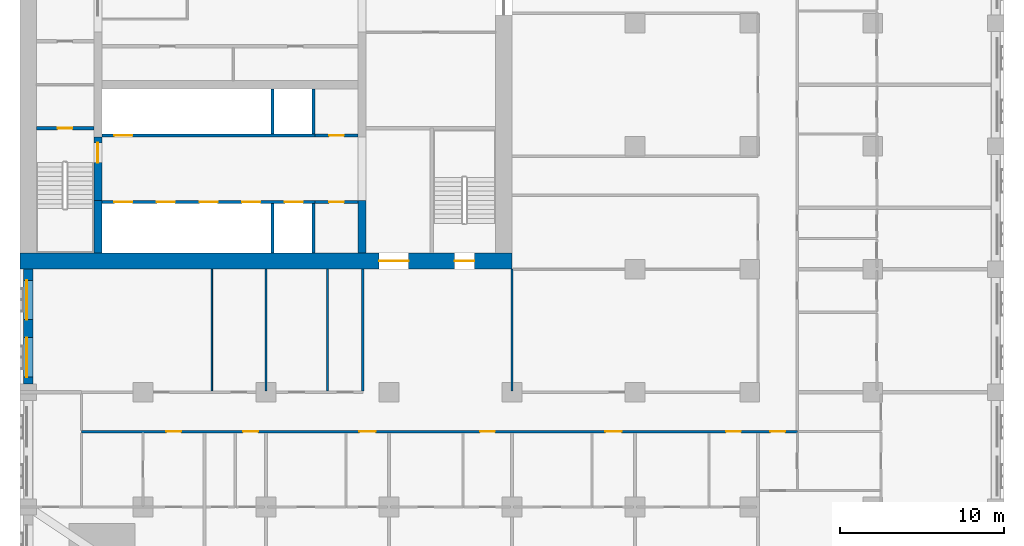
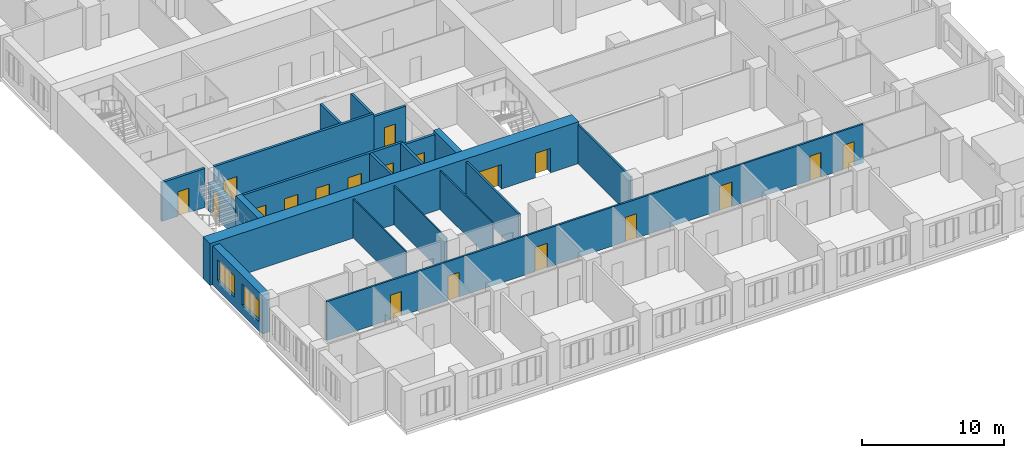
# One storey, part 5 of 14: 20 walls, 19 doors, 2 windows, 21 openings.
"""IFC4 building model written with IfcOpenShell, lengths in metres."""

import ifcopenshell
import ifcopenshell.guid

model = None  # the IFC model being written
_history = None  # IfcOwnerHistory: only IFC2X3 demands one
_inside = {}  # id of a spatial element -> (the spatial element, [elements in it])
_under = {}  # id of a project, library or spatial element -> (it, [spatial elements below it])
_declared = {}  # id of a project -> (the project, [libraries it declares])
_typed = {}  # id of a type object -> (the type object, [elements of that type])
_made_of = {}  # id of a material, layer set ... -> (it, [elements and type objects made of it])


def new_model(schema):
    """Start an empty IFC model of exactly this schema.

    Asked for "IFC4X3", IfcOpenShell would pick the latest addendum, in which some entities
    have other attributes; the version numbers below select the first issue.
    IFC2X3 requires an IfcOwnerHistory on every rooted entity: one is made here for all.
    """
    global model, _history
    if schema == "IFC4X3":
        model = ifcopenshell.file(schema_version=(4, 3, 0, 0))
    else:
        model = ifcopenshell.file(schema=schema)
    _inside.clear()
    _under.clear()
    _declared.clear()
    _typed.clear()
    _made_of.clear()
    _history = None
    if model.schema == "IFC2X3":
        org = make("IfcOrganization", Name="unknown")
        user = make(
            "IfcPersonAndOrganization",
            ThePerson=make("IfcPerson", FamilyName="unknown"),
            TheOrganization=org,
        )
        app = make(
            "IfcApplication",
            ApplicationDeveloper=org,
            Version="unknown",
            ApplicationFullName="unknown",
            ApplicationIdentifier="unknown",
        )
        _history = make(
            "IfcOwnerHistory",
            OwningUser=user,
            OwningApplication=app,
            ChangeAction="ADDED",
            CreationDate=0,
        )
    return model


def make(cls, **values):
    """One entity of the class cls with the attributes given. An attribute that is None is left unset."""
    return model.create_entity(
        cls, **{name: value for name, value in values.items() if value is not None}
    )


def rooted(cls, **values):
    """An entity with a GlobalId (a new one), such as an element, a storey or a relation."""
    return make(cls, GlobalId=ifcopenshell.guid.new(), OwnerHistory=_history, **values)


def si_unit(unit_type, name, prefix=None):
    """IfcSIUnit, for example si_unit("LENGTHUNIT", "METRE", prefix="MILLI")."""
    return make("IfcSIUnit", UnitType=unit_type, Prefix=prefix, Name=name)


def assignment(units):
    """IfcUnitAssignment: the units of a project."""
    return None if units is None else make("IfcUnitAssignment", Units=units)


def point(xyz):
    """IfcCartesianPoint."""
    return None if xyz is None else make("IfcCartesianPoint", Coordinates=xyz)


def direction(xyz):
    """IfcDirection."""
    return None if xyz is None else make("IfcDirection", DirectionRatios=xyz)


def frame(location, z_axis=None, x_axis=None):
    """IfcAxis2Placement3D, a coordinate frame: its origin and axes. An axis left out is left unset."""
    return make(
        "IfcAxis2Placement3D",
        Location=point(location),
        Axis=direction(z_axis),
        RefDirection=direction(x_axis),
    )


def frame_2d(location, x_axis=None):
    """IfcAxis2Placement2D, a coordinate frame in the plane: its origin and x axis."""
    return make(
        "IfcAxis2Placement2D", Location=point(location), RefDirection=direction(x_axis)
    )


def origin():
    """The frame at (0, 0, 0) with its axes left unset."""
    return frame((0.0, 0.0, 0.0))


def place(relative_to, where):
    """IfcLocalPlacement: puts the frame where relative to a parent placement (None: the world)."""
    return make(
        "IfcLocalPlacement", PlacementRelTo=relative_to, RelativePlacement=where
    )


def context(
    kind, dimensions, precision=None, world=None, true_north=None, identifier=None
):
    """IfcGeometricRepresentationContext, for example the 3D "Model" context."""
    return make(
        "IfcGeometricRepresentationContext",
        ContextIdentifier=identifier,
        ContextType=kind,
        CoordinateSpaceDimension=dimensions,
        Precision=precision,
        WorldCoordinateSystem=world,
        TrueNorth=true_north,
    )


def subcontext(parent, identifier, kind, view, scale=None):
    """IfcGeometricRepresentationSubContext, for example "Body" below "Model"."""
    return make(
        "IfcGeometricRepresentationSubContext",
        ContextIdentifier=identifier,
        ContextType=kind,
        ParentContext=parent,
        TargetScale=scale,
        TargetView=view,
    )


def project(units=None, contexts=None):
    """IfcProject with its units and contexts."""
    return rooted(
        "IfcProject",
        Name="project",
        RepresentationContexts=contexts,
        UnitsInContext=assignment(units),
    )


def spatial(cls, under=None, at=None, **own):
    """A site, building, storey or space (cls), placed at a placement, below another one or the project."""
    s = rooted(cls, ObjectPlacement=at, **own)
    if under is not None:
        _under.setdefault(under.id(), (under, []))[1].append(s)
    return s


def profile(cls, at=None, kind="AREA", **sizes):
    """A parametric profile (cls). Its sizes go by their IFC names, for example OverallWidth=200.0."""
    return make(cls, ProfileType=kind, Position=at, **sizes)


def rectangle(**sizes):
    """IfcRectangleProfileDef."""
    return profile("IfcRectangleProfileDef", **sizes)


def extrude(swept, where, along, depth):
    """IfcExtrudedAreaSolid: the profile swept, set in the frame where, extruded along a direction by depth."""
    return make(
        "IfcExtrudedAreaSolid",
        SweptArea=swept,
        Position=where,
        ExtrudedDirection=direction(along),
        Depth=depth,
    )


def shape(context_of_items, identifier, shape_type, items):
    """IfcShapeRepresentation: the items that make up one representation, for example the "Body"."""
    return make(
        "IfcShapeRepresentation",
        ContextOfItems=context_of_items,
        RepresentationIdentifier=identifier,
        RepresentationType=shape_type,
        Items=items,
    )


def material(Name=None, Category=None):
    """IfcMaterial."""
    return make("IfcMaterial", Name=Name, Category=Category)


def layer(
    of_material, thickness, ventilated=None, Name=None, Category=None, Priority=None
):
    """IfcMaterialLayer: one layer of a wall or slab, of a material (None: an air gap)."""
    return make(
        "IfcMaterialLayer",
        Material=of_material,
        LayerThickness=thickness,
        IsVentilated=ventilated,
        Name=Name,
        Category=Category,
        Priority=Priority,
    )


def layer_set(layers, Name=None):
    """IfcMaterialLayerSet."""
    return make("IfcMaterialLayerSet", MaterialLayers=layers, LayerSetName=Name)


def made_of(thing, what):
    """Note that an element or type object is made of a material, layer set ...; save() writes the relation."""
    if what is not None:
        _made_of.setdefault(what.id(), (what, []))[1].append(thing)
    return thing


def type_object(cls, material=None, **own):
    """A type object (cls), such as IfcWallType, which elements share."""
    return made_of(rooted(cls, **own), material)


def element(
    cls,
    number,
    at=None,
    inside=None,
    cuts=None,
    type_object=None,
    material=None,
    context=None,
    identifier="Body",
    shape_type=None,
    held_by="IfcProductDefinitionShape",
    body=None,
    shapes=None,
    **own,
):
    """One element of the class cls, such as IfcWall. Its Tag is "e" and its number.

    at: its placement. inside: the storey or other place that contains it. cuts: it is an
    opening in that element (IfcRelVoidsElement). A single representation is given by context,
    identifier, shape_type and body (its items); several are given by shapes. held_by: the class
    of the entity that holds the representations. save() writes the other relations.
    """
    e = rooted(cls, Tag="e%d" % number, ObjectPlacement=at, **own)
    if body is not None:
        shapes = [shape(context, identifier, shape_type, body)]
    if shapes is not None:
        e.Representation = make(held_by, Representations=shapes)
    if inside is not None:
        _inside.setdefault(inside.id(), (inside, []))[1].append(e)
    if cuts is not None:
        rooted(
            "IfcRelVoidsElement", RelatingBuildingElement=cuts, RelatedOpeningElement=e
        )
    if type_object is not None:
        _typed.setdefault(type_object.id(), (type_object, []))[1].append(e)
    return made_of(e, material)


def fill(opening, filler):
    """IfcRelFillsElement: the door or window that sits in an opening."""
    return rooted(
        "IfcRelFillsElement",
        RelatingOpeningElement=opening,
        RelatedBuildingElement=filler,
    )


def aggregate(whole, parts):
    """IfcRelAggregates: a whole, such as a stair, and the parts it consists of."""
    return rooted("IfcRelAggregates", RelatingObject=whole, RelatedObjects=parts)


def save(model, path):
    """Write the relations noted so far, then the file.

    IfcRelAggregates (storeys below a building ...), IfcRelContainedInSpatialStructure (elements
    in a storey), IfcRelDefinesByType, IfcRelAssociatesMaterial and IfcRelDeclares: one each for
    every whole, place, type object, material and project.
    """
    for whole, parts in _under.values():
        aggregate(whole, parts)
    for where, things in _inside.values():
        rooted(
            "IfcRelContainedInSpatialStructure",
            RelatedElements=things,
            RelatingStructure=where,
        )
    for kind, things in _typed.values():
        rooted("IfcRelDefinesByType", RelatedObjects=things, RelatingType=kind)
    for what, things in _made_of.values():
        rooted("IfcRelAssociatesMaterial", RelatedObjects=things, RelatingMaterial=what)
    for by, libraries in _declared.values():
        rooted("IfcRelDeclares", RelatingContext=by, RelatedDefinitions=libraries)
    model.write(path)


model = new_model("IFC4")

# Units and contexts
model_context = context("Model", 3, precision=1e-05, world=origin(), true_north=direction((0.0, 1.0)))
body_context = subcontext(model_context, "Body", "Model", "MODEL_VIEW")
ifc_project = project(units=[si_unit("LENGTHUNIT", "METRE"), si_unit("AREAUNIT", "SQUARE_METRE"), si_unit("VOLUMEUNIT", "CUBIC_METRE"), si_unit("PLANEANGLEUNIT", "RADIAN"), si_unit("MASSUNIT", "GRAM", prefix="KILO")], contexts=[model_context])

# Site, building, storey
site_placement = place(None, origin())
site = spatial("IfcSite", under=ifc_project, at=site_placement, CompositionType="ELEMENT")
building_placement = place(site_placement, origin())
building = spatial("IfcBuilding", under=site, at=building_placement, Name="Tamorin Gate", CompositionType="ELEMENT")
storey_placement = place(building_placement, frame((0.0, 0.0, 44.800048828125)))
storey = spatial("IfcBuildingStorey", under=building, at=storey_placement, Name="L09", CompositionType="ELEMENT", Elevation=44.800048828125)

# Wall, openings, windows
ifc_material_1 = material(Name="Precast concrete C40/50", Category="concrete")
ifc_layer_1 = layer(ifc_material_1, 0.60009765625)
ifc_layer_set_1 = layer_set([ifc_layer_1], Name="Precast concrete C40/50")
wall_type_1 = type_object("IfcWallType", Name="Board-marked concrete facade panel 600", PredefinedType="SOLIDWALL", material=ifc_layer_set_1)
wall_1_placement = place(storey_placement, frame((30.5, 60.0, 0.0), z_axis=(0.0, 0.0, 1.0), x_axis=(0.0, -1.0, 0.0)))
wall_1 = element("IfcWall", 1, at=wall_1_placement, inside=storey, type_object=wall_type_1, Name="Facade panel", PredefinedType="SOLIDWALL", context=body_context, shape_type="SweptSolid", body=[
    extrude(rectangle(XDim=7.0, YDim=0.60009765625, at=frame_2d((3.5, 0.0))), origin(), (0.0, 0.0, 1.0), 3.349853515625),
])
opening_1_placement = place(wall_1_placement, frame((4.175048828125, 0.0, 0.800048828125)))
opening_1 = element("IfcOpeningElement", 2, at=opening_1_placement, cuts=wall_1, Name="Opening WN1", PredefinedType="OPENING", context=body_context, shape_type="SweptSolid", body=[
    extrude(rectangle(XDim=2.39990234375, YDim=1.800048828125, at=frame_2d((1.199951171875, 0.89990234375))), frame((0.0, 0.31005859375, 0.0), z_axis=(0.0, -1.0, 0.0), x_axis=(1.0, 0.0, 0.0)), (0.0, 0.0, 1.0), 0.6201171875),
])
opening_2_placement = place(wall_1_placement, frame((0.675048828125, 0.0, 0.800048828125)))
opening_2 = element("IfcOpeningElement", 3, at=opening_2_placement, cuts=wall_1, Name="Opening WN1", PredefinedType="OPENING", context=body_context, shape_type="SweptSolid", body=[
    extrude(rectangle(XDim=2.39990234375, YDim=1.800048828125, at=frame_2d((1.199951171875, 0.89990234375))), frame((0.0, 0.31005859375, 0.0), z_axis=(0.0, -1.0, 0.0), x_axis=(1.0, 0.0, 0.0)), (0.0, 0.0, 1.0), 0.6201171875),
])
ifc_material_2 = material(Name="Clear glass in aluminium frame", Category="aluminium")
window_type = type_object("IfcWindowType", Name="Deep-set window 2400x1800", PartitioningType="SINGLE_PANEL", PredefinedType="WINDOW", material=ifc_material_2)
window_1_placement = place(opening_1_placement, origin())
window_1 = element("IfcWindow", 4, at=window_1_placement, inside=storey, type_object=window_type, Name="Deep-set window", OverallHeight=1.800048828125, OverallWidth=2.39990234375, PartitioningType="SINGLE_PANEL", PredefinedType="WINDOW", context=body_context, shape_type="SweptSolid", body=[
    extrude(rectangle(XDim=2.39990234375, YDim=1.800048828125, at=frame_2d((1.199951171875, 0.89990234375))), frame((0.0, -0.070068359375, 0.0), z_axis=(0.0, -1.0, 0.0), x_axis=(1.0, 0.0, 0.0)), (0.0, 0.0, 1.0), 0.06005859375),
])
fill(opening_1, window_1)
window_2_placement = place(opening_2_placement, origin())
window_2 = element("IfcWindow", 5, at=window_2_placement, inside=storey, type_object=window_type, Name="Deep-set window", OverallHeight=1.800048828125, OverallWidth=2.39990234375, PartitioningType="SINGLE_PANEL", PredefinedType="WINDOW", context=body_context, shape_type="SweptSolid", body=[
    extrude(rectangle(XDim=2.39990234375, YDim=1.800048828125, at=frame_2d((1.199951171875, 0.89990234375))), frame((0.0, -0.070068359375, 0.0), z_axis=(0.0, -1.0, 0.0), x_axis=(1.0, 0.0, 0.0)), (0.0, 0.0, 1.0), 0.06005859375),
])
fill(opening_2, window_2)

# Wall, openings, doors
ifc_material_3 = material(Name="Gypsum board partition")
ifc_layer_2 = layer(ifc_material_3, 0.14990234375)
ifc_layer_set_2 = layer_set([ifc_layer_2], Name="Corridor wall 150")
wall_type_2 = type_object("IfcWallType", Name="Corridor wall 150", PredefinedType="PARTITIONING", material=ifc_layer_set_2)
wall_2_placement = place(storey_placement, frame((33.75, 50.10009765625, 0.0), z_axis=(0.0, 0.0, 1.0), x_axis=(1.0, 0.0, 0.0)))
wall_2 = element("IfcWall", 6, at=wall_2_placement, inside=storey, type_object=wall_type_2, Name="Corridor wall 150", PredefinedType="PARTITIONING", context=body_context, shape_type="SweptSolid", body=[
    extrude(rectangle(XDim=43.64990234375, YDim=0.14990234375, at=frame_2d((21.824951171875, 0.0))), origin(), (0.0, 0.0, 1.0), 3.349853515625),
])
opening_3_placement = place(wall_2_placement, frame((5.175048828125, 0.0, 0.0)))
opening_3 = element("IfcOpeningElement", 7, at=opening_3_placement, cuts=wall_2, Name="Opening DH4003", PredefinedType="OPENING", context=body_context, shape_type="SweptSolid", body=[
    extrude(rectangle(XDim=0.89990234375, YDim=2.10009765625, at=frame_2d((0.449951171875, 1.050048828125))), frame((0.0, 0.0849609375, 0.0), z_axis=(0.0, -1.0, 0.0), x_axis=(1.0, 0.0, 0.0)), (0.0, 0.0, 1.0), 0.169921875),
])
opening_4_placement = place(wall_2_placement, frame((9.862548828125, 0.0, 0.0)))
opening_4 = element("IfcOpeningElement", 8, at=opening_4_placement, cuts=wall_2, Name="Opening DH4006", PredefinedType="OPENING", context=body_context, shape_type="SweptSolid", body=[
    extrude(rectangle(XDim=0.89990234375, YDim=2.10009765625, at=frame_2d((0.449951171875, 1.050048828125))), frame((0.0, 0.0849609375, 0.0), z_axis=(0.0, -1.0, 0.0), x_axis=(1.0, 0.0, 0.0)), (0.0, 0.0, 1.0), 0.169921875),
])
opening_5_placement = place(wall_2_placement, frame((16.9375, 0.0, 0.0)))
opening_5 = element("IfcOpeningElement", 9, at=opening_5_placement, cuts=wall_2, Name="Opening DH4009", PredefinedType="OPENING", context=body_context, shape_type="SweptSolid", body=[
    extrude(rectangle(XDim=1.0, YDim=2.10009765625, at=frame_2d((0.5, 1.050048828125))), frame((0.0, 0.0849609375, 0.0), z_axis=(0.0, -1.0, 0.0), x_axis=(1.0, 0.0, 0.0)), (0.0, 0.0, 1.0), 0.169921875),
])
opening_6_placement = place(wall_2_placement, frame((24.300048828125, 0.0, 0.0)))
opening_6 = element("IfcOpeningElement", 10, at=opening_6_placement, cuts=wall_2, Name="Opening DH4012", PredefinedType="OPENING", context=body_context, shape_type="SweptSolid", body=[
    extrude(rectangle(XDim=0.89990234375, YDim=2.10009765625, at=frame_2d((0.449951171875, 1.050048828125))), frame((0.0, 0.0849609375, 0.0), z_axis=(0.0, -1.0, 0.0), x_axis=(1.0, 0.0, 0.0)), (0.0, 0.0, 1.0), 0.169921875),
])
opening_7_placement = place(wall_2_placement, frame((31.9375, 0.0, 0.0)))
opening_7 = element("IfcOpeningElement", 11, at=opening_7_placement, cuts=wall_2, Name="Opening DH4015", PredefinedType="OPENING", context=body_context, shape_type="SweptSolid", body=[
    extrude(rectangle(XDim=1.0, YDim=2.10009765625, at=frame_2d((0.5, 1.050048828125))), frame((0.0, 0.0849609375, 0.0), z_axis=(0.0, -1.0, 0.0), x_axis=(1.0, 0.0, 0.0)), (0.0, 0.0, 1.0), 0.169921875),
])
opening_8_placement = place(wall_2_placement, frame((39.300048828125, 0.0, 0.0)))
opening_8 = element("IfcOpeningElement", 12, at=opening_8_placement, cuts=wall_2, Name="Opening DH4018", PredefinedType="OPENING", context=body_context, shape_type="SweptSolid", body=[
    extrude(rectangle(XDim=0.89990234375, YDim=2.10009765625, at=frame_2d((0.449951171875, 1.050048828125))), frame((0.0, 0.0849609375, 0.0), z_axis=(0.0, -1.0, 0.0), x_axis=(1.0, 0.0, 0.0)), (0.0, 0.0, 1.0), 0.169921875),
])
opening_9_placement = place(wall_2_placement, frame((42.0, 0.0, 0.0)))
opening_9 = element("IfcOpeningElement", 13, at=opening_9_placement, cuts=wall_2, Name="Opening DH4060", PredefinedType="OPENING", context=body_context, shape_type="SweptSolid", body=[
    extrude(rectangle(XDim=0.89990234375, YDim=2.10009765625, at=frame_2d((0.449951171875, 1.050048828125))), frame((0.0, 0.0849609375, 0.0), z_axis=(0.0, -1.0, 0.0), x_axis=(1.0, 0.0, 0.0)), (0.0, 0.0, 1.0), 0.169921875),
])
ifc_material_4 = material(Name="Timber door leaf", Category="wood")
door_type_1 = type_object("IfcDoorType", Name="Door 1000 x 2100 FD30S", OperationType="NOTDEFINED", PredefinedType="DOOR", material=ifc_material_4)
door_1_placement = place(opening_5_placement, origin())
door_1 = element("IfcDoor", 14, at=door_1_placement, inside=storey, type_object=door_type_1, Name="Door DH4009", OperationType="SINGLE_SWING_RIGHT", OverallHeight=2.10009765625, OverallWidth=1.0, PredefinedType="DOOR", context=body_context, shape_type="SweptSolid", body=[
    extrude(rectangle(XDim=1.0, YDim=2.10009765625, at=frame_2d((0.5, 1.050048828125))), frame((0.0, 0.02490234375, 0.0), z_axis=(0.0, -1.0, 0.0), x_axis=(1.0, 0.0, 0.0)), (0.0, 0.0, 1.0), 0.050048828125),
])
fill(opening_5, door_1)
door_2_placement = place(opening_7_placement, origin())
door_2 = element("IfcDoor", 15, at=door_2_placement, inside=storey, type_object=door_type_1, Name="Door DH4015", OperationType="SINGLE_SWING_RIGHT", OverallHeight=2.10009765625, OverallWidth=1.0, PredefinedType="DOOR", context=body_context, shape_type="SweptSolid", body=[
    extrude(rectangle(XDim=1.0, YDim=2.10009765625, at=frame_2d((0.5, 1.050048828125))), frame((0.0, 0.02490234375, 0.0), z_axis=(0.0, -1.0, 0.0), x_axis=(1.0, 0.0, 0.0)), (0.0, 0.0, 1.0), 0.050048828125),
])
fill(opening_7, door_2)
door_type_2 = type_object("IfcDoorType", Name="Door 900 x 2100 FD30S", OperationType="NOTDEFINED", PredefinedType="DOOR", material=ifc_material_4)
door_3_placement = place(opening_3_placement, origin())
door_3 = element("IfcDoor", 16, at=door_3_placement, inside=storey, type_object=door_type_2, Name="Door DH4003", OperationType="SINGLE_SWING_RIGHT", OverallHeight=2.10009765625, OverallWidth=0.89990234375, PredefinedType="DOOR", context=body_context, shape_type="SweptSolid", body=[
    extrude(rectangle(XDim=0.89990234375, YDim=2.10009765625, at=frame_2d((0.449951171875, 1.050048828125))), frame((0.0, 0.02490234375, 0.0), z_axis=(0.0, -1.0, 0.0), x_axis=(1.0, 0.0, 0.0)), (0.0, 0.0, 1.0), 0.050048828125),
])
fill(opening_3, door_3)
door_4_placement = place(opening_4_placement, origin())
door_4 = element("IfcDoor", 17, at=door_4_placement, inside=storey, type_object=door_type_2, Name="Door DH4006", OperationType="SINGLE_SWING_RIGHT", OverallHeight=2.10009765625, OverallWidth=0.89990234375, PredefinedType="DOOR", context=body_context, shape_type="SweptSolid", body=[
    extrude(rectangle(XDim=0.89990234375, YDim=2.10009765625, at=frame_2d((0.449951171875, 1.050048828125))), frame((0.0, 0.02490234375, 0.0), z_axis=(0.0, -1.0, 0.0), x_axis=(1.0, 0.0, 0.0)), (0.0, 0.0, 1.0), 0.050048828125),
])
fill(opening_4, door_4)
door_5_placement = place(opening_6_placement, origin())
door_5 = element("IfcDoor", 18, at=door_5_placement, inside=storey, type_object=door_type_2, Name="Door DH4012", OperationType="SINGLE_SWING_RIGHT", OverallHeight=2.10009765625, OverallWidth=0.89990234375, PredefinedType="DOOR", context=body_context, shape_type="SweptSolid", body=[
    extrude(rectangle(XDim=0.89990234375, YDim=2.10009765625, at=frame_2d((0.449951171875, 1.050048828125))), frame((0.0, 0.02490234375, 0.0), z_axis=(0.0, -1.0, 0.0), x_axis=(1.0, 0.0, 0.0)), (0.0, 0.0, 1.0), 0.050048828125),
])
fill(opening_6, door_5)
door_6_placement = place(opening_8_placement, origin())
door_6 = element("IfcDoor", 19, at=door_6_placement, inside=storey, type_object=door_type_2, Name="Door DH4018", OperationType="SINGLE_SWING_RIGHT", OverallHeight=2.10009765625, OverallWidth=0.89990234375, PredefinedType="DOOR", context=body_context, shape_type="SweptSolid", body=[
    extrude(rectangle(XDim=0.89990234375, YDim=2.10009765625, at=frame_2d((0.449951171875, 1.050048828125))), frame((0.0, 0.02490234375, 0.0), z_axis=(0.0, -1.0, 0.0), x_axis=(1.0, 0.0, 0.0)), (0.0, 0.0, 1.0), 0.050048828125),
])
fill(opening_8, door_6)
door_7_placement = place(opening_9_placement, origin())
door_7 = element("IfcDoor", 20, at=door_7_placement, inside=storey, type_object=door_type_2, Name="Door DH4060", OperationType="SINGLE_SWING_LEFT", OverallHeight=2.10009765625, OverallWidth=0.89990234375, PredefinedType="DOOR", context=body_context, shape_type="SweptSolid", body=[
    extrude(rectangle(XDim=0.89990234375, YDim=2.10009765625, at=frame_2d((0.449951171875, 1.050048828125))), frame((0.0, 0.02490234375, 0.0), z_axis=(0.0, -1.0, 0.0), x_axis=(1.0, 0.0, 0.0)), (0.0, 0.0, 1.0), 0.050048828125),
])
fill(opening_9, door_7)

ifc_material_5 = material(Name="Concrete C32/40", Category="concrete")
ifc_layer_3 = layer(ifc_material_5, 0.199951171875)
ifc_layer_set_3 = layer_set([ifc_layer_3], Name="Lift lobby face wall 200 EI 120")
wall_type_3 = type_object("IfcWallType", Name="Lift lobby face wall 200 EI 120", PredefinedType="SOLIDWALL", material=ifc_layer_set_3)
wall_3_placement = place(storey_placement, frame((35.0, 64.10009765625, 0.0), z_axis=(0.0, 0.0, 1.0), x_axis=(1.0, 0.0, 0.0)))
wall_3 = element("IfcWall", 21, at=wall_3_placement, inside=storey, type_object=wall_type_3, Name="Lift lobby face wall", PredefinedType="SOLIDWALL", context=body_context, shape_type="SweptSolid", body=[
    extrude(rectangle(XDim=13.0, YDim=0.199951171875, at=frame_2d((6.5, 0.0))), origin(), (0.0, 0.0, 1.0), 3.599853515625),
])
opening_10_placement = place(wall_3_placement, frame((0.75, 0.0, 0.0)))
opening_10 = element("IfcOpeningElement", 22, at=opening_10_placement, cuts=wall_3, Name="Opening LD1", PredefinedType="OPENING", context=body_context, shape_type="SweptSolid", body=[
    extrude(rectangle(XDim=1.10009765625, YDim=2.10009765625, at=frame_2d((0.550048828125, 1.050048828125))), frame((0.0, 0.10986328125, 0.0), z_axis=(0.0, -1.0, 0.0), x_axis=(1.0, 0.0, 0.0)), (0.0, 0.0, 1.0), 0.219970703125),
])
opening_11_placement = place(wall_3_placement, frame((3.35009765625, 0.0, 0.0)))
opening_11 = element("IfcOpeningElement", 23, at=opening_11_placement, cuts=wall_3, Name="Opening LD2", PredefinedType="OPENING", context=body_context, shape_type="SweptSolid", body=[
    extrude(rectangle(XDim=1.10009765625, YDim=2.10009765625, at=frame_2d((0.550048828125, 1.050048828125))), frame((0.0, 0.10986328125, 0.0), z_axis=(0.0, -1.0, 0.0), x_axis=(1.0, 0.0, 0.0)), (0.0, 0.0, 1.0), 0.219970703125),
])
opening_12_placement = place(wall_3_placement, frame((5.949951171875, 0.0, 0.0)))
opening_12 = element("IfcOpeningElement", 24, at=opening_12_placement, cuts=wall_3, Name="Opening LD3", PredefinedType="OPENING", context=body_context, shape_type="SweptSolid", body=[
    extrude(rectangle(XDim=1.10009765625, YDim=2.10009765625, at=frame_2d((0.550048828125, 1.050048828125))), frame((0.0, 0.10986328125, 0.0), z_axis=(0.0, -1.0, 0.0), x_axis=(1.0, 0.0, 0.0)), (0.0, 0.0, 1.0), 0.219970703125),
])
opening_13_placement = place(wall_3_placement, frame((8.550048828125, 0.0, 0.0)))
opening_13 = element("IfcOpeningElement", 25, at=opening_13_placement, cuts=wall_3, Name="Opening LD4", PredefinedType="OPENING", context=body_context, shape_type="SweptSolid", body=[
    extrude(rectangle(XDim=1.10009765625, YDim=2.10009765625, at=frame_2d((0.550048828125, 1.050048828125))), frame((0.0, 0.10986328125, 0.0), z_axis=(0.0, -1.0, 0.0), x_axis=(1.0, 0.0, 0.0)), (0.0, 0.0, 1.0), 0.219970703125),
])
opening_14_placement = place(wall_3_placement, frame((11.14990234375, 0.0, 0.0)))
opening_14 = element("IfcOpeningElement", 26, at=opening_14_placement, cuts=wall_3, Name="Opening LD5", PredefinedType="OPENING", context=body_context, shape_type="SweptSolid", body=[
    extrude(rectangle(XDim=1.10009765625, YDim=2.10009765625, at=frame_2d((0.550048828125, 1.050048828125))), frame((0.0, 0.10986328125, 0.0), z_axis=(0.0, -1.0, 0.0), x_axis=(1.0, 0.0, 0.0)), (0.0, 0.0, 1.0), 0.219970703125),
])
ifc_material_6 = material(Name="Stainless steel sliding door", Category="steel")
door_type_3 = type_object("IfcDoorType", Name="Lift landing door 1100 x 2100 E 90", OperationType="DOUBLE_DOOR_SLIDING", PredefinedType="DOOR", material=ifc_material_6)
door_8_placement = place(opening_10_placement, origin())
door_8 = element("IfcDoor", 27, at=door_8_placement, inside=storey, type_object=door_type_3, Name="LR1 landing door", OperationType="DOUBLE_DOOR_SLIDING", OverallHeight=2.10009765625, OverallWidth=1.10009765625, PredefinedType="DOOR", context=body_context, shape_type="SweptSolid", body=[
    extrude(rectangle(XDim=1.10009765625, YDim=2.10009765625, at=frame_2d((0.550048828125, 1.050048828125))), frame((0.0, 0.02490234375, 0.0), z_axis=(0.0, -1.0, 0.0), x_axis=(1.0, 0.0, 0.0)), (0.0, 0.0, 1.0), 0.050048828125),
])
fill(opening_10, door_8)
door_9_placement = place(opening_11_placement, origin())
door_9 = element("IfcDoor", 28, at=door_9_placement, inside=storey, type_object=door_type_3, Name="LR2 landing door", OperationType="DOUBLE_DOOR_SLIDING", OverallHeight=2.10009765625, OverallWidth=1.10009765625, PredefinedType="DOOR", context=body_context, shape_type="SweptSolid", body=[
    extrude(rectangle(XDim=1.10009765625, YDim=2.10009765625, at=frame_2d((0.550048828125, 1.050048828125))), frame((0.0, 0.02490234375, 0.0), z_axis=(0.0, -1.0, 0.0), x_axis=(1.0, 0.0, 0.0)), (0.0, 0.0, 1.0), 0.050048828125),
])
fill(opening_11, door_9)
door_10_placement = place(opening_12_placement, origin())
door_10 = element("IfcDoor", 29, at=door_10_placement, inside=storey, type_object=door_type_3, Name="LR3 landing door", OperationType="DOUBLE_DOOR_SLIDING", OverallHeight=2.10009765625, OverallWidth=1.10009765625, PredefinedType="DOOR", context=body_context, shape_type="SweptSolid", body=[
    extrude(rectangle(XDim=1.10009765625, YDim=2.10009765625, at=frame_2d((0.550048828125, 1.050048828125))), frame((0.0, 0.02490234375, 0.0), z_axis=(0.0, -1.0, 0.0), x_axis=(1.0, 0.0, 0.0)), (0.0, 0.0, 1.0), 0.050048828125),
])
fill(opening_12, door_10)
door_11_placement = place(opening_13_placement, origin())
door_11 = element("IfcDoor", 30, at=door_11_placement, inside=storey, type_object=door_type_3, Name="LR4 landing door", OperationType="DOUBLE_DOOR_SLIDING", OverallHeight=2.10009765625, OverallWidth=1.10009765625, PredefinedType="DOOR", context=body_context, shape_type="SweptSolid", body=[
    extrude(rectangle(XDim=1.10009765625, YDim=2.10009765625, at=frame_2d((0.550048828125, 1.050048828125))), frame((0.0, 0.02490234375, 0.0), z_axis=(0.0, -1.0, 0.0), x_axis=(1.0, 0.0, 0.0)), (0.0, 0.0, 1.0), 0.050048828125),
])
fill(opening_13, door_11)
door_12_placement = place(opening_14_placement, origin())
door_12 = element("IfcDoor", 31, at=door_12_placement, inside=storey, type_object=door_type_3, Name="LR5 landing door", OperationType="DOUBLE_DOOR_SLIDING", OverallHeight=2.10009765625, OverallWidth=1.10009765625, PredefinedType="DOOR", context=body_context, shape_type="SweptSolid", body=[
    extrude(rectangle(XDim=1.10009765625, YDim=2.10009765625, at=frame_2d((0.550048828125, 1.050048828125))), frame((0.0, 0.02490234375, 0.0), z_axis=(0.0, -1.0, 0.0), x_axis=(1.0, 0.0, 0.0)), (0.0, 0.0, 1.0), 0.050048828125),
])
fill(opening_14, door_12)

# Wall, opening, door
wall_4_placement = place(storey_placement, frame((35.0, 68.14990234375, 0.0), z_axis=(0.0, 0.0, 1.0), x_axis=(1.0, 0.0, 0.0)))
wall_4 = element("IfcWall", 32, at=wall_4_placement, inside=storey, type_object=wall_type_3, Name="Lift lobby face wall", PredefinedType="SOLIDWALL", context=body_context, shape_type="SweptSolid", body=[
    extrude(rectangle(XDim=13.0, YDim=0.199951171875, at=frame_2d((6.5, 0.0))), origin(), (0.0, 0.0, 1.0), 3.599853515625),
])
opening_15_placement = place(wall_4_placement, frame((0.75, 0.0, 0.0)))
opening_15 = element("IfcOpeningElement", 33, at=opening_15_placement, cuts=wall_4, Name="Opening LD6", PredefinedType="OPENING", context=body_context, shape_type="SweptSolid", body=[
    extrude(rectangle(XDim=1.10009765625, YDim=2.10009765625, at=frame_2d((0.550048828125, 1.050048828125))), frame((0.0, 0.10986328125, 0.0), z_axis=(0.0, -1.0, 0.0), x_axis=(1.0, 0.0, 0.0)), (0.0, 0.0, 1.0), 0.219970703125),
])
door_13_placement = place(opening_15_placement, origin())
door_13 = element("IfcDoor", 34, at=door_13_placement, inside=storey, type_object=door_type_3, Name="LR6 landing door", OperationType="DOUBLE_DOOR_SLIDING", OverallHeight=2.10009765625, OverallWidth=1.10009765625, PredefinedType="DOOR", context=body_context, shape_type="SweptSolid", body=[
    extrude(rectangle(XDim=1.10009765625, YDim=2.10009765625, at=frame_2d((0.550048828125, 1.050048828125))), frame((0.0, 0.02490234375, 0.0), z_axis=(0.0, -1.0, 0.0), x_axis=(1.0, 0.0, 0.0)), (0.0, 0.0, 1.0), 0.050048828125),
])
fill(opening_15, door_13)

# Walls
ifc_layer_4 = layer(ifc_material_5, 0.199951171875)
ifc_layer_set_4 = layer_set([ifc_layer_4], Name="Lift shaft wall 200 EI 120")
wall_type_4 = type_object("IfcWallType", Name="Lift shaft wall 200 EI 120", PredefinedType="SOLIDWALL", material=ifc_layer_set_4)
for number, where, z_axis, x_axis, name in (
    (35, (45.39990234375, 61.0, 0.0), (0.0, 0.0, 1.0), (0.0, 1.0, 0.0), "Lift shaft wall"),
    (36, (47.89990234375, 61.0, 0.0), (0.0, 0.0, 1.0), (0.0, 1.0, 0.0), "Lift shaft wall"),
):
    element("IfcWall", number, at=place(storey_placement, frame(where, z_axis=z_axis, x_axis=x_axis)), inside=storey, type_object=wall_type_4, Name=name, PredefinedType="SOLIDWALL", context=body_context, shape_type="SweptSolid", body=[
        extrude(rectangle(XDim=3.0, YDim=0.199951171875, at=frame_2d((1.5, 0.0))), origin(), (0.0, 0.0, 1.0), 3.599853515625),
    ])
for number, where, z_axis, x_axis, name in (
    (37, (45.39990234375, 68.25, 0.0), (0.0, 0.0, 1.0), (0.0, 1.0, 0.0), "Lift shaft wall"),
    (38, (47.89990234375, 68.25, 0.0), (0.0, 0.0, 1.0), (0.0, 1.0, 0.0), "Lift shaft wall"),
):
    element("IfcWall", number, at=place(storey_placement, frame(where, z_axis=z_axis, x_axis=x_axis)), inside=storey, type_object=wall_type_4, Name=name, PredefinedType="SOLIDWALL", context=body_context, shape_type="SweptSolid", body=[
        extrude(rectangle(XDim=2.75, YDim=0.199951171875, at=frame_2d((1.375, 0.0))), origin(), (0.0, 0.0, 1.0), 3.599853515625),
    ])
ifc_layer_5 = layer(ifc_material_3, 0.14990234375)
ifc_layer_set_5 = layer_set([ifc_layer_5], Name="Lobby wall 150")
wall_type_5 = type_object("IfcWallType", Name="Lobby wall 150", PredefinedType="PARTITIONING", material=ifc_layer_set_5)
for number, where, z_axis, x_axis, name in (
    (39, (50.89990234375, 52.574951171875, 0.0), (0.0, 0.0, 1.0), (0.0, 1.0, 0.0), "Lobby wall 150"),
    (40, (60.0, 52.574951171875, 0.0), (0.0, 0.0, 1.0), (0.0, 1.0, 0.0), "Lobby wall 150"),
):
    element("IfcWall", number, at=place(storey_placement, frame(where, z_axis=z_axis, x_axis=x_axis)), inside=storey, type_object=wall_type_5, Name=name, PredefinedType="PARTITIONING", context=body_context, shape_type="SweptSolid", body=[
        extrude(rectangle(XDim=7.425048828125, YDim=0.14990234375, at=frame_2d((3.71240234375, 0.0))), origin(), (0.0, 0.0, 1.0), 3.349853515625),
    ])
ifc_material_7 = material(Name="Concrete C80/95", Category="concrete")
ifc_layer_6 = layer(ifc_material_7, 0.5)
ifc_layer_set_6 = layer_set([ifc_layer_6], Name="RC core internal wall 500 C80/95")
wall_type_6 = type_object("IfcWallType", Name="RC core internal wall 500 C80/95", PredefinedType="SHEAR", material=ifc_layer_set_6)
for number, where, z_axis, x_axis, name in (
    (41, (34.75, 61.0, 0.0), (0.0, 0.0, 1.0), (0.0, 1.0, 0.0), "Core cross wall L09"),
    (42, (50.85009765625, 61.0, 0.0), (0.0, 0.0, 1.0), (0.0, 1.0, 0.0), "Core cross wall L09"),
):
    element("IfcWall", number, at=place(storey_placement, frame(where, z_axis=z_axis, x_axis=x_axis)), inside=storey, type_object=wall_type_6, Name=name, PredefinedType="SHEAR", context=body_context, shape_type="SweptSolid", body=[
        extrude(rectangle(XDim=3.199951171875, YDim=0.5, at=frame_2d((1.60009765625, 0.0))), origin(), (0.0, 0.0, 1.0), 3.599853515625),
    ])

# Wall, openings, doors
ifc_layer_7 = layer(ifc_material_7, 1.0)
ifc_layer_set_7 = layer_set([ifc_layer_7], Name="RC core wall 1000 C80/95")
wall_type_7 = type_object("IfcWallType", Name="RC core wall 1000 C80/95", PredefinedType="SHEAR", material=ifc_layer_set_7)
wall_5_placement = place(storey_placement, frame((30.0, 60.5, 0.0), z_axis=(0.0, 0.0, 1.0), x_axis=(1.0, 0.0, 0.0)))
wall_5 = element("IfcWall", 43, at=wall_5_placement, inside=storey, type_object=wall_type_7, Name="Core wall L09", PredefinedType="SHEAR", context=body_context, shape_type="SweptSolid", body=[
    extrude(rectangle(XDim=30.0, YDim=1.0, at=frame_2d((15.0, 0.0))), origin(), (0.0, 0.0, 1.0), 3.599853515625),
])
opening_16_placement = place(wall_5_placement, frame((21.89990234375, 0.0, 0.0)))
opening_16 = element("IfcOpeningElement", 44, at=opening_16_placement, cuts=wall_5, Name="Opening DE1", PredefinedType="OPENING", context=body_context, shape_type="SweptSolid", body=[
    extrude(rectangle(XDim=1.800048828125, YDim=2.10009765625, at=frame_2d((0.89990234375, 1.050048828125))), frame((0.0, 0.510009765625, 0.0), z_axis=(0.0, -1.0, 0.0), x_axis=(1.0, 0.0, 0.0)), (0.0, 0.0, 1.0), 1.02001953125),
])
opening_17_placement = place(wall_5_placement, frame((26.5, 0.0, 0.0)))
opening_17 = element("IfcOpeningElement", 45, at=opening_17_placement, cuts=wall_5, Name="Opening DS1", PredefinedType="OPENING", context=body_context, shape_type="SweptSolid", body=[
    extrude(rectangle(XDim=1.199951171875, YDim=2.10009765625, at=frame_2d((0.60009765625, 1.050048828125))), frame((0.0, 0.510009765625, 0.0), z_axis=(0.0, -1.0, 0.0), x_axis=(1.0, 0.0, 0.0)), (0.0, 0.0, 1.0), 1.02001953125),
])
ifc_material_8 = material(Name="Steel fire door", Category="steel")
door_type_4 = type_object("IfcDoorType", Name="Lobby exit double door 1800 x 2100 EI 60", OperationType="DOUBLE_DOOR_SINGLE_SWING", PredefinedType="DOOR", material=ifc_material_8)
door_14_placement = place(opening_16_placement, origin())
door_14 = element("IfcDoor", 46, at=door_14_placement, inside=storey, type_object=door_type_4, Name="Lift lobby A exit door", OperationType="DOUBLE_DOOR_SINGLE_SWING", OverallHeight=2.10009765625, OverallWidth=1.800048828125, PredefinedType="DOOR", context=body_context, shape_type="SweptSolid", body=[
    extrude(rectangle(XDim=1.800048828125, YDim=2.10009765625, at=frame_2d((0.89990234375, 1.050048828125))), frame((0.0, 0.02490234375, 0.0), z_axis=(0.0, -1.0, 0.0), x_axis=(1.0, 0.0, 0.0)), (0.0, 0.0, 1.0), 0.050048828125),
])
fill(opening_16, door_14)
door_type_5 = type_object("IfcDoorType", Name="Stair door 1200 x 2100 EI 90", OperationType="SINGLE_SWING_LEFT", PredefinedType="DOOR", material=ifc_material_8)
door_15_placement = place(opening_17_placement, origin())
door_15 = element("IfcDoor", 47, at=door_15_placement, inside=storey, type_object=door_type_5, Name="ST3 door", OperationType="SINGLE_SWING_LEFT", OverallHeight=2.10009765625, OverallWidth=1.199951171875, PredefinedType="DOOR", context=body_context, shape_type="SweptSolid", body=[
    extrude(rectangle(XDim=1.199951171875, YDim=2.10009765625, at=frame_2d((0.60009765625, 1.050048828125))), frame((0.0, 0.02490234375, 0.0), z_axis=(0.0, -1.0, 0.0), x_axis=(1.0, 0.0, 0.0)), (0.0, 0.0, 1.0), 0.050048828125),
])
fill(opening_17, door_15)

# Walls
ifc_layer_8 = layer(ifc_material_3, 0.10009765625)
ifc_layer_set_8 = layer_set([ifc_layer_8], Name="Room partition 100")
wall_type_8 = type_object("IfcWallType", Name="Room partition 100", PredefinedType="PARTITIONING", material=ifc_layer_set_8)
for number, where, z_axis, x_axis, name in (
    (48, (41.699951171875, 52.574951171875, 0.0), (0.0, 0.0, 1.0), (0.0, 1.0, 0.0), "Room partition 100"),
    (49, (45.0, 52.574951171875, 0.0), (0.0, 0.0, 1.0), (0.0, 1.0, 0.0), "Room partition 100"),
    (50, (48.75, 52.574951171875, 0.0), (0.0, 0.0, 1.0), (0.0, 1.0, 0.0), "Room partition 100"),
):
    element("IfcWall", number, at=place(storey_placement, frame(where, z_axis=z_axis, x_axis=x_axis)), inside=storey, type_object=wall_type_8, Name=name, PredefinedType="PARTITIONING", context=body_context, shape_type="SweptSolid", body=[
        extrude(rectangle(XDim=7.425048828125, YDim=0.10009765625, at=frame_2d((3.71240234375, 0.0))), origin(), (0.0, 0.0, 1.0), 3.349853515625),
    ])

# Wall, opening, door
ifc_layer_9 = layer(ifc_material_3, 0.199951171875)
ifc_layer_set_9 = layer_set([ifc_layer_9], Name="Service room face wall 200 EI 60")
wall_type_9 = type_object("IfcWallType", Name="Service room face wall 200 EI 60", PredefinedType="PARTITIONING", material=ifc_layer_set_9)
wall_6_placement = place(storey_placement, frame((48.0, 64.10009765625, 0.0), z_axis=(0.0, 0.0, 1.0), x_axis=(1.0, 0.0, 0.0)))
wall_6 = element("IfcWall", 51, at=wall_6_placement, inside=storey, type_object=wall_type_9, Name="Service room face wall", PredefinedType="PARTITIONING", context=body_context, shape_type="SweptSolid", body=[
    extrude(rectangle(XDim=2.60009765625, YDim=0.199951171875, at=frame_2d((1.300048828125, 0.0))), origin(), (0.0, 0.0, 1.0), 3.349853515625),
])
opening_18_placement = place(wall_6_placement, frame((0.85009765625, 0.0, 0.0)))
opening_18 = element("IfcOpeningElement", 52, at=opening_18_placement, cuts=wall_6, Name="Opening DK1", PredefinedType="OPENING", context=body_context, shape_type="SweptSolid", body=[
    extrude(rectangle(XDim=0.89990234375, YDim=2.10009765625, at=frame_2d((0.449951171875, 1.050048828125))), frame((0.0, 0.10986328125, 0.0), z_axis=(0.0, -1.0, 0.0), x_axis=(1.0, 0.0, 0.0)), (0.0, 0.0, 1.0), 0.219970703125),
])
ifc_material_9 = material(Name="Timber fire door", Category="wood")
door_type_6 = type_object("IfcDoorType", Name="Service room door 900 x 2100 EI 60", OperationType="SINGLE_SWING_LEFT", PredefinedType="DOOR", material=ifc_material_9)
door_16_placement = place(opening_18_placement, origin())
door_16 = element("IfcDoor", 53, at=door_16_placement, inside=storey, type_object=door_type_6, Name="Door Housekeeping store", OperationType="SINGLE_SWING_LEFT", OverallHeight=2.10009765625, OverallWidth=0.89990234375, PredefinedType="DOOR", context=body_context, shape_type="SweptSolid", body=[
    extrude(rectangle(XDim=0.89990234375, YDim=2.10009765625, at=frame_2d((0.449951171875, 1.050048828125))), frame((0.0, 0.02490234375, 0.0), z_axis=(0.0, -1.0, 0.0), x_axis=(1.0, 0.0, 0.0)), (0.0, 0.0, 1.0), 0.050048828125),
])
fill(opening_18, door_16)

wall_7_placement = place(storey_placement, frame((48.0, 68.14990234375, 0.0), z_axis=(0.0, 0.0, 1.0), x_axis=(1.0, 0.0, 0.0)))
wall_7 = element("IfcWall", 54, at=wall_7_placement, inside=storey, type_object=wall_type_9, Name="Service room face wall", PredefinedType="PARTITIONING", context=body_context, shape_type="SweptSolid", body=[
    extrude(rectangle(XDim=2.60009765625, YDim=0.199951171875, at=frame_2d((1.300048828125, 0.0))), origin(), (0.0, 0.0, 1.0), 3.349853515625),
])
opening_19_placement = place(wall_7_placement, frame((0.85009765625, 0.0, 0.0)))
opening_19 = element("IfcOpeningElement", 55, at=opening_19_placement, cuts=wall_7, Name="Opening DK1", PredefinedType="OPENING", context=body_context, shape_type="SweptSolid", body=[
    extrude(rectangle(XDim=0.89990234375, YDim=2.10009765625, at=frame_2d((0.449951171875, 1.050048828125))), frame((0.0, 0.10986328125, 0.0), z_axis=(0.0, -1.0, 0.0), x_axis=(1.0, 0.0, 0.0)), (0.0, 0.0, 1.0), 0.219970703125),
])
door_17_placement = place(opening_19_placement, origin())
door_17 = element("IfcDoor", 56, at=door_17_placement, inside=storey, type_object=door_type_6, Name="Door Linen store", OperationType="SINGLE_SWING_LEFT", OverallHeight=2.10009765625, OverallWidth=0.89990234375, PredefinedType="DOOR", context=body_context, shape_type="SweptSolid", body=[
    extrude(rectangle(XDim=0.89990234375, YDim=2.10009765625, at=frame_2d((0.449951171875, 1.050048828125))), frame((0.0, 0.02490234375, 0.0), z_axis=(0.0, -1.0, 0.0), x_axis=(1.0, 0.0, 0.0)), (0.0, 0.0, 1.0), 0.050048828125),
])
fill(opening_19, door_17)

ifc_material_10 = material(Name="Concrete C40/50", Category="concrete")
ifc_layer_10 = layer(ifc_material_10, 0.199951171875)
ifc_layer_set_10 = layer_set([ifc_layer_10], Name="Stair enclosure wall 200 EI 120 C40/50")
wall_type_10 = type_object("IfcWallType", Name="Stair enclosure wall 200 EI 120 C40/50", PredefinedType="SOLIDWALL", material=ifc_layer_set_10)
wall_8_placement = place(storey_placement, frame((31.0, 68.60009765625, 0.0), z_axis=(0.0, 0.0, 1.0), x_axis=(1.0, 0.0, 0.0)))
wall_8 = element("IfcWall", 57, at=wall_8_placement, inside=storey, type_object=wall_type_10, Name="Stair enclosure wall", PredefinedType="SOLIDWALL", context=body_context, shape_type="SweptSolid", body=[
    extrude(rectangle(XDim=3.5, YDim=0.199951171875, at=frame_2d((1.75, 0.0))), origin(), (0.0, 0.0, 1.0), 3.349853515625),
])
opening_20_placement = place(wall_8_placement, frame((1.300048828125, 0.0, 0.0)))
opening_20 = element("IfcOpeningElement", 58, at=opening_20_placement, cuts=wall_8, Name="Opening DR1", PredefinedType="OPENING", context=body_context, shape_type="SweptSolid", body=[
    extrude(rectangle(XDim=0.89990234375, YDim=2.10009765625, at=frame_2d((0.449951171875, 1.050048828125))), frame((0.0, 0.10986328125, 0.0), z_axis=(0.0, -1.0, 0.0), x_axis=(1.0, 0.0, 0.0)), (0.0, 0.0, 1.0), 0.219970703125),
])
door_type_7 = type_object("IfcDoorType", Name="Riser access door 900 x 2100 EI 120", OperationType="SINGLE_SWING_LEFT", PredefinedType="DOOR", material=ifc_material_8)
door_18_placement = place(opening_20_placement, origin())
door_18 = element("IfcDoor", 59, at=door_18_placement, inside=storey, type_object=door_type_7, Name="Electrical riser door", OperationType="SINGLE_SWING_LEFT", OverallHeight=2.10009765625, OverallWidth=0.89990234375, PredefinedType="DOOR", context=body_context, shape_type="SweptSolid", body=[
    extrude(rectangle(XDim=0.89990234375, YDim=2.10009765625, at=frame_2d((0.449951171875, 1.050048828125))), frame((0.0, 0.02490234375, 0.0), z_axis=(0.0, -1.0, 0.0), x_axis=(1.0, 0.0, 0.0)), (0.0, 0.0, 1.0), 0.050048828125),
])
fill(opening_20, door_18)

ifc_layer_11 = layer(ifc_material_5, 0.5)
ifc_layer_set_11 = layer_set([ifc_layer_11], Name="Stair lobby infill wall 500 EI 120")
wall_type_11 = type_object("IfcWallType", Name="Stair lobby infill wall 500 EI 120", PredefinedType="SOLIDWALL", material=ifc_layer_set_11)
wall_9_placement = place(storey_placement, frame((34.75, 64.199951171875, 0.0), z_axis=(0.0, 0.0, 1.0), x_axis=(0.0, 1.0, 0.0)))
wall_9 = element("IfcWall", 60, at=wall_9_placement, inside=storey, type_object=wall_type_11, Name="Stair lobby infill wall", PredefinedType="SOLIDWALL", context=body_context, shape_type="SweptSolid", body=[
    extrude(rectangle(XDim=3.85009765625, YDim=0.5, at=frame_2d((1.925048828125, 0.0))), origin(), (0.0, 0.0, 1.0), 2.39990234375),
])
opening_21_placement = place(wall_9_placement, frame((2.300048828125, 0.0, 0.0)))
opening_21 = element("IfcOpeningElement", 61, at=opening_21_placement, cuts=wall_9, Name="Opening DS1", PredefinedType="OPENING", context=body_context, shape_type="SweptSolid", body=[
    extrude(rectangle(XDim=1.199951171875, YDim=2.10009765625, at=frame_2d((0.60009765625, 1.050048828125))), frame((0.0, 0.260009765625, 0.0), z_axis=(0.0, -1.0, 0.0), x_axis=(1.0, 0.0, 0.0)), (0.0, 0.0, 1.0), 0.52001953125),
])
door_19_placement = place(opening_21_placement, origin())
door_19 = element("IfcDoor", 62, at=door_19_placement, inside=storey, type_object=door_type_5, Name="ST1 door", OperationType="SINGLE_SWING_LEFT", OverallHeight=2.10009765625, OverallWidth=1.199951171875, PredefinedType="DOOR", context=body_context, shape_type="SweptSolid", body=[
    extrude(rectangle(XDim=1.199951171875, YDim=2.10009765625, at=frame_2d((0.60009765625, 1.050048828125))), frame((0.0, 0.02490234375, 0.0), z_axis=(0.0, -1.0, 0.0), x_axis=(1.0, 0.0, 0.0)), (0.0, 0.0, 1.0), 0.050048828125),
])
fill(opening_21, door_19)

save(model, "model.ifc")
